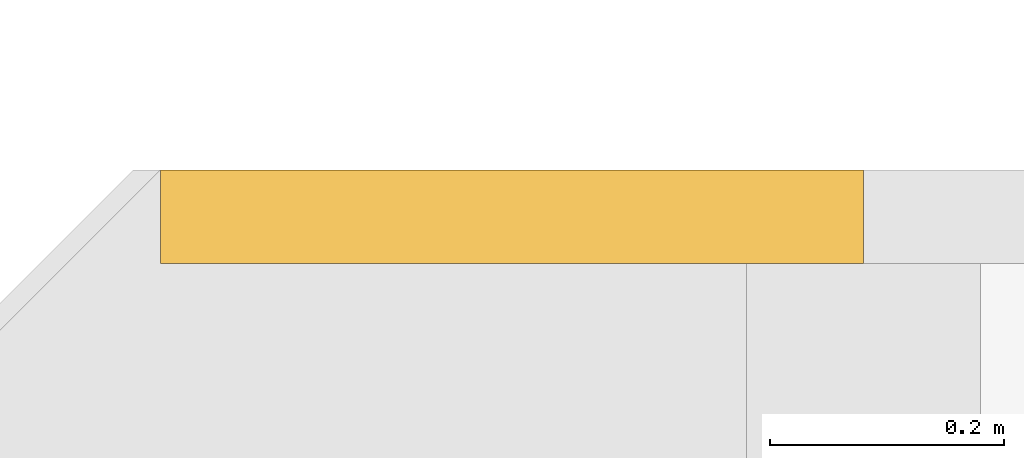
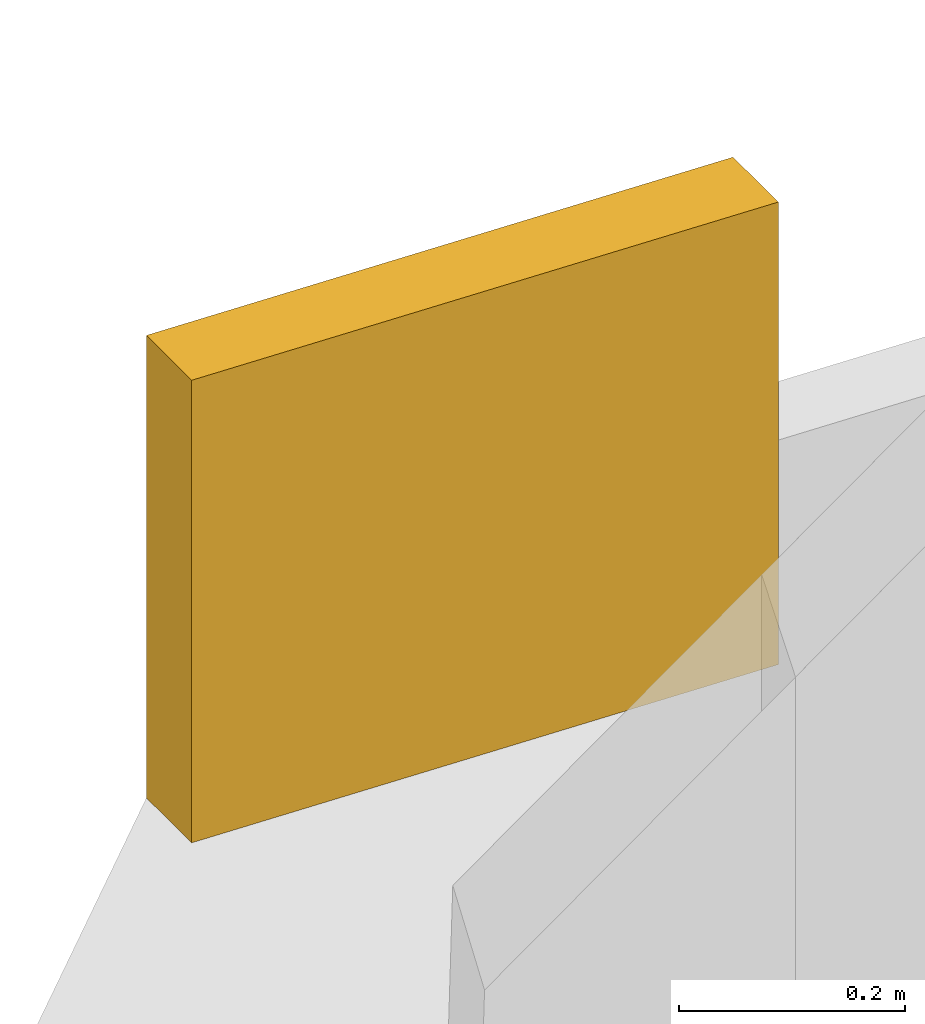
# One storey, part 29 of 29: 1 covering.
"""IFC4 building model written with IfcOpenShell, lengths in metres."""

from ifc_helpers import new_model, si_unit, direction, frame, origin, place, context, subcontext, project, spatial, polyline, outline, extrude, material, layer, layer_set, type_object, element, save


model = new_model("IFC4")

# Units and contexts
model_context = context("Model", 3, precision=1e-05, world=origin(), true_north=direction((0.0, 1.0)))
body_context = subcontext(model_context, "Body", "Model", "MODEL_VIEW")
ifc_project = project(units=[si_unit("LENGTHUNIT", "METRE"), si_unit("AREAUNIT", "SQUARE_METRE"), si_unit("VOLUMEUNIT", "CUBIC_METRE"), si_unit("PLANEANGLEUNIT", "RADIAN"), si_unit("MASSUNIT", "GRAM", prefix="KILO")], contexts=[model_context])

# Site, building, storey
site_placement = place(None, origin())
site = spatial("IfcSite", under=ifc_project, at=site_placement, CompositionType="ELEMENT")
building_placement = place(site_placement, origin())
building = spatial("IfcBuilding", under=site, at=building_placement, Name="Saffron Gate Tower", CompositionType="ELEMENT")
storey_placement = place(building_placement, frame((0.0, 0.0, 113.25)))
storey = spatial("IfcBuildingStorey", under=building, at=storey_placement, Name="L26", CompositionType="ELEMENT", Elevation=113.25)

# Covering
ifc_material = material(Name="Timber, thermally modified ash", Category="wood")
ifc_layer = layer(ifc_material, 0.080078125)
ifc_layer_set = layer_set([ifc_layer], Name="LD2 ledge planter trough")
covering_type = type_object("IfcCoveringType", Name="LD2 ledge planter trough", PredefinedType="CLADDING", material=ifc_layer_set)
covering_placement = place(storey_placement, frame((125.39990234375, 73.199951171875, 3.19580078125), z_axis=(0.0, 1.0, 0.0), x_axis=(-0.999582742162, 0.0, 0.028884971385)))
element("IfcCovering", 1, at=covering_placement, inside=storey, type_object=covering_type, Name="LEDGE planter trough", PredefinedType="CLADDING", context=body_context, shape_type="SweptSolid", body=[
    extrude(outline(polyline([(0.0, 0.0), (0.6001039136866089, 0.0), (0.614546399379222, 0.4997913710809928), (0.014442485692613144, 0.49979137108099286), (0.0, 0.0)])), origin(), (0.0, 0.0, -1.0), 0.080078125),
])

save(model, "model.ifc")
